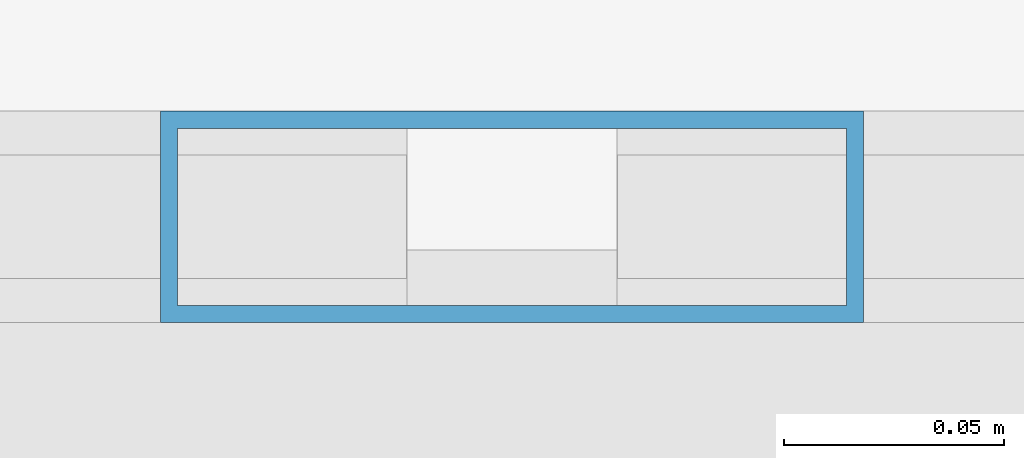
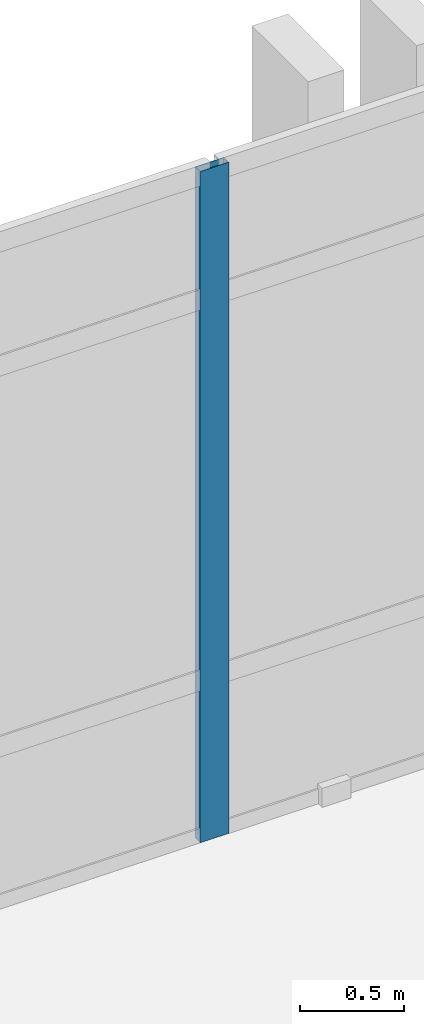
# One storey, part 55 of 90: 1 member, 1 element without a shape of its own.
"""IFC4 building model written with IfcOpenShell, lengths in metres."""

import ifcopenshell
import ifcopenshell.guid

model = None  # the IFC model being written
_history = None  # IfcOwnerHistory: only IFC2X3 demands one
_inside = {}  # id of a spatial element -> (the spatial element, [elements in it])
_under = {}  # id of a project, library or spatial element -> (it, [spatial elements below it])
_declared = {}  # id of a project -> (the project, [libraries it declares])
_typed = {}  # id of a type object -> (the type object, [elements of that type])
_made_of = {}  # id of a material, layer set ... -> (it, [elements and type objects made of it])


def new_model(schema):
    """Start an empty IFC model of exactly this schema.

    Asked for "IFC4X3", IfcOpenShell would pick the latest addendum, in which some entities
    have other attributes; the version numbers below select the first issue.
    IFC2X3 requires an IfcOwnerHistory on every rooted entity: one is made here for all.
    """
    global model, _history
    if schema == "IFC4X3":
        model = ifcopenshell.file(schema_version=(4, 3, 0, 0))
    else:
        model = ifcopenshell.file(schema=schema)
    _inside.clear()
    _under.clear()
    _declared.clear()
    _typed.clear()
    _made_of.clear()
    _history = None
    if model.schema == "IFC2X3":
        org = make("IfcOrganization", Name="unknown")
        user = make(
            "IfcPersonAndOrganization",
            ThePerson=make("IfcPerson", FamilyName="unknown"),
            TheOrganization=org,
        )
        app = make(
            "IfcApplication",
            ApplicationDeveloper=org,
            Version="unknown",
            ApplicationFullName="unknown",
            ApplicationIdentifier="unknown",
        )
        _history = make(
            "IfcOwnerHistory",
            OwningUser=user,
            OwningApplication=app,
            ChangeAction="ADDED",
            CreationDate=0,
        )
    return model


def make(cls, **values):
    """One entity of the class cls with the attributes given. An attribute that is None is left unset."""
    return model.create_entity(
        cls, **{name: value for name, value in values.items() if value is not None}
    )


def rooted(cls, **values):
    """An entity with a GlobalId (a new one), such as an element, a storey or a relation."""
    return make(cls, GlobalId=ifcopenshell.guid.new(), OwnerHistory=_history, **values)


def si_unit(unit_type, name, prefix=None):
    """IfcSIUnit, for example si_unit("LENGTHUNIT", "METRE", prefix="MILLI")."""
    return make("IfcSIUnit", UnitType=unit_type, Prefix=prefix, Name=name)


def assignment(units):
    """IfcUnitAssignment: the units of a project."""
    return None if units is None else make("IfcUnitAssignment", Units=units)


def point(xyz):
    """IfcCartesianPoint."""
    return None if xyz is None else make("IfcCartesianPoint", Coordinates=xyz)


def direction(xyz):
    """IfcDirection."""
    return None if xyz is None else make("IfcDirection", DirectionRatios=xyz)


def frame(location, z_axis=None, x_axis=None):
    """IfcAxis2Placement3D, a coordinate frame: its origin and axes. An axis left out is left unset."""
    return make(
        "IfcAxis2Placement3D",
        Location=point(location),
        Axis=direction(z_axis),
        RefDirection=direction(x_axis),
    )


def frame_2d(location, x_axis=None):
    """IfcAxis2Placement2D, a coordinate frame in the plane: its origin and x axis."""
    return make(
        "IfcAxis2Placement2D", Location=point(location), RefDirection=direction(x_axis)
    )


def origin():
    """The frame at (0, 0, 0) with its axes left unset."""
    return frame((0.0, 0.0, 0.0))


def origin_2d():
    """The frame at (0, 0) in the plane with its x axis left unset."""
    return frame_2d((0.0, 0.0))


def place(relative_to, where):
    """IfcLocalPlacement: puts the frame where relative to a parent placement (None: the world)."""
    return make(
        "IfcLocalPlacement", PlacementRelTo=relative_to, RelativePlacement=where
    )


def context(
    kind, dimensions, precision=None, world=None, true_north=None, identifier=None
):
    """IfcGeometricRepresentationContext, for example the 3D "Model" context."""
    return make(
        "IfcGeometricRepresentationContext",
        ContextIdentifier=identifier,
        ContextType=kind,
        CoordinateSpaceDimension=dimensions,
        Precision=precision,
        WorldCoordinateSystem=world,
        TrueNorth=true_north,
    )


def subcontext(parent, identifier, kind, view, scale=None):
    """IfcGeometricRepresentationSubContext, for example "Body" below "Model"."""
    return make(
        "IfcGeometricRepresentationSubContext",
        ContextIdentifier=identifier,
        ContextType=kind,
        ParentContext=parent,
        TargetScale=scale,
        TargetView=view,
    )


def project(units=None, contexts=None):
    """IfcProject with its units and contexts."""
    return rooted(
        "IfcProject",
        Name="project",
        RepresentationContexts=contexts,
        UnitsInContext=assignment(units),
    )


def spatial(cls, under=None, at=None, **own):
    """A site, building, storey or space (cls), placed at a placement, below another one or the project."""
    s = rooted(cls, ObjectPlacement=at, **own)
    if under is not None:
        _under.setdefault(under.id(), (under, []))[1].append(s)
    return s


def profile(cls, at=None, kind="AREA", **sizes):
    """A parametric profile (cls). Its sizes go by their IFC names, for example OverallWidth=200.0."""
    return make(cls, ProfileType=kind, Position=at, **sizes)


def hollow_rectangle(**sizes):
    """IfcRectangleHollowProfileDef."""
    return profile("IfcRectangleHollowProfileDef", **sizes)


def extrude(swept, where, along, depth):
    """IfcExtrudedAreaSolid: the profile swept, set in the frame where, extruded along a direction by depth."""
    return make(
        "IfcExtrudedAreaSolid",
        SweptArea=swept,
        Position=where,
        ExtrudedDirection=direction(along),
        Depth=depth,
    )


def shape(context_of_items, identifier, shape_type, items):
    """IfcShapeRepresentation: the items that make up one representation, for example the "Body"."""
    return make(
        "IfcShapeRepresentation",
        ContextOfItems=context_of_items,
        RepresentationIdentifier=identifier,
        RepresentationType=shape_type,
        Items=items,
    )


def material(Name=None, Category=None):
    """IfcMaterial."""
    return make("IfcMaterial", Name=Name, Category=Category)


def layer(
    of_material, thickness, ventilated=None, Name=None, Category=None, Priority=None
):
    """IfcMaterialLayer: one layer of a wall or slab, of a material (None: an air gap)."""
    return make(
        "IfcMaterialLayer",
        Material=of_material,
        LayerThickness=thickness,
        IsVentilated=ventilated,
        Name=Name,
        Category=Category,
        Priority=Priority,
    )


def layer_set(layers, Name=None):
    """IfcMaterialLayerSet."""
    return make("IfcMaterialLayerSet", MaterialLayers=layers, LayerSetName=Name)


def material_profile(
    of_material, cross_section, Name=None, Category=None, Priority=None
):
    """IfcMaterialProfile: a cross section and its material."""
    return make(
        "IfcMaterialProfile",
        Name=Name,
        Material=of_material,
        Profile=cross_section,
        Priority=Priority,
        Category=Category,
    )


def profile_set(profiles, Name=None, composite=None):
    """IfcMaterialProfileSet."""
    return make(
        "IfcMaterialProfileSet",
        Name=Name,
        MaterialProfiles=profiles,
        CompositeProfile=composite,
    )


def made_of(thing, what):
    """Note that an element or type object is made of a material, layer set ...; save() writes the relation."""
    if what is not None:
        _made_of.setdefault(what.id(), (what, []))[1].append(thing)
    return thing


def type_object(cls, material=None, **own):
    """A type object (cls), such as IfcWallType, which elements share."""
    return made_of(rooted(cls, **own), material)


def element(
    cls,
    number,
    at=None,
    inside=None,
    cuts=None,
    type_object=None,
    material=None,
    context=None,
    identifier="Body",
    shape_type=None,
    held_by="IfcProductDefinitionShape",
    body=None,
    shapes=None,
    **own,
):
    """One element of the class cls, such as IfcWall. Its Tag is "e" and its number.

    at: its placement. inside: the storey or other place that contains it. cuts: it is an
    opening in that element (IfcRelVoidsElement). A single representation is given by context,
    identifier, shape_type and body (its items); several are given by shapes. held_by: the class
    of the entity that holds the representations. save() writes the other relations.
    """
    e = rooted(cls, Tag="e%d" % number, ObjectPlacement=at, **own)
    if body is not None:
        shapes = [shape(context, identifier, shape_type, body)]
    if shapes is not None:
        e.Representation = make(held_by, Representations=shapes)
    if inside is not None:
        _inside.setdefault(inside.id(), (inside, []))[1].append(e)
    if cuts is not None:
        rooted(
            "IfcRelVoidsElement", RelatingBuildingElement=cuts, RelatedOpeningElement=e
        )
    if type_object is not None:
        _typed.setdefault(type_object.id(), (type_object, []))[1].append(e)
    return made_of(e, material)


def aggregate(whole, parts):
    """IfcRelAggregates: a whole, such as a stair, and the parts it consists of."""
    return rooted("IfcRelAggregates", RelatingObject=whole, RelatedObjects=parts)


def save(model, path):
    """Write the relations noted so far, then the file.

    IfcRelAggregates (storeys below a building ...), IfcRelContainedInSpatialStructure (elements
    in a storey), IfcRelDefinesByType, IfcRelAssociatesMaterial and IfcRelDeclares: one each for
    every whole, place, type object, material and project.
    """
    for whole, parts in _under.values():
        aggregate(whole, parts)
    for where, things in _inside.values():
        rooted(
            "IfcRelContainedInSpatialStructure",
            RelatedElements=things,
            RelatingStructure=where,
        )
    for kind, things in _typed.values():
        rooted("IfcRelDefinesByType", RelatedObjects=things, RelatingType=kind)
    for what, things in _made_of.values():
        rooted("IfcRelAssociatesMaterial", RelatedObjects=things, RelatingMaterial=what)
    for by, libraries in _declared.values():
        rooted("IfcRelDeclares", RelatingContext=by, RelatedDefinitions=libraries)
    model.write(path)


model = new_model("IFC4")

# Units and contexts
model_context = context("Model", 3, precision=1e-05, world=origin(), true_north=direction((0.0, 1.0)))
body_context = subcontext(model_context, "Body", "Model", "MODEL_VIEW")
ifc_project = project(units=[si_unit("LENGTHUNIT", "METRE"), si_unit("AREAUNIT", "SQUARE_METRE"), si_unit("VOLUMEUNIT", "CUBIC_METRE"), si_unit("PLANEANGLEUNIT", "RADIAN"), si_unit("MASSUNIT", "GRAM", prefix="KILO")], contexts=[model_context])

# Site, building, storey
site_placement = place(None, origin())
site = spatial("IfcSite", under=ifc_project, at=site_placement, CompositionType="ELEMENT")
building_placement = place(site_placement, origin())
building = spatial("IfcBuilding", under=site, at=building_placement, Name="Qalavern Law Courts", CompositionType="ELEMENT")
storey_placement = place(building_placement, frame((0.0, 0.0, 22.800048828125)))
storey = spatial("IfcBuildingStorey", under=building, at=storey_placement, Name="L05", CompositionType="ELEMENT", Elevation=22.800048828125)

# Curtain wall, member
ifc_material_1 = material(Name="Anodised aluminium and insulated glazing", Category="aluminium")
ifc_layer = layer(ifc_material_1, 0.159912109375)
ifc_layer_set = layer_set([ifc_layer], Name="Anodised aluminium and insulated glazing")
curtain_wall_type = type_object("IfcCurtainWallType", Name="ENV-CW-CHAMB", PredefinedType="USERDEFINED", material=ifc_layer_set)
curtain_wall_placement = place(storey_placement, origin())
curtain_wall = element("IfcCurtainWall", 1, at=curtain_wall_placement, inside=storey, type_object=curtain_wall_type, Name="V4 unitised curtain wall L05 north 1", ObjectType="UNITISED CURTAIN WALL", PredefinedType="USERDEFINED")
ifc_material_2 = material(Name="Anodised aluminium", Category="aluminium")
ifc_material_profile = material_profile(ifc_material_2, hollow_rectangle(XDim=0.048095703125, YDim=0.159912109375, WallThickness=0.00390625, at=origin_2d()), Name="ALU MULLION 48x160")
ifc_profile_set = profile_set([ifc_material_profile], Name="Anodised aluminium")
member_type = type_object("IfcMemberType", Name="ENV-CWM-48x160", PredefinedType="MULLION", material=ifc_profile_set)
member_placement = place(storey_placement, frame((98.344482421875, 85.607421875, 0.0), z_axis=(0.0, 0.0, 1.0), x_axis=(0.0, -1.0, 0.0)))
member = element("IfcMember", 2, at=member_placement, type_object=member_type, Name="CW-04 mullion 6", PredefinedType="MULLION", context=body_context, shape_type="SweptSolid", body=[
    extrude(hollow_rectangle(XDim=0.048095703125, YDim=0.159912109375, WallThickness=0.00390625, at=origin_2d()), origin(), (0.0, 0.0, 1.0), 3.929931640625),
])
aggregate(curtain_wall, [member])

save(model, "model.ifc")
